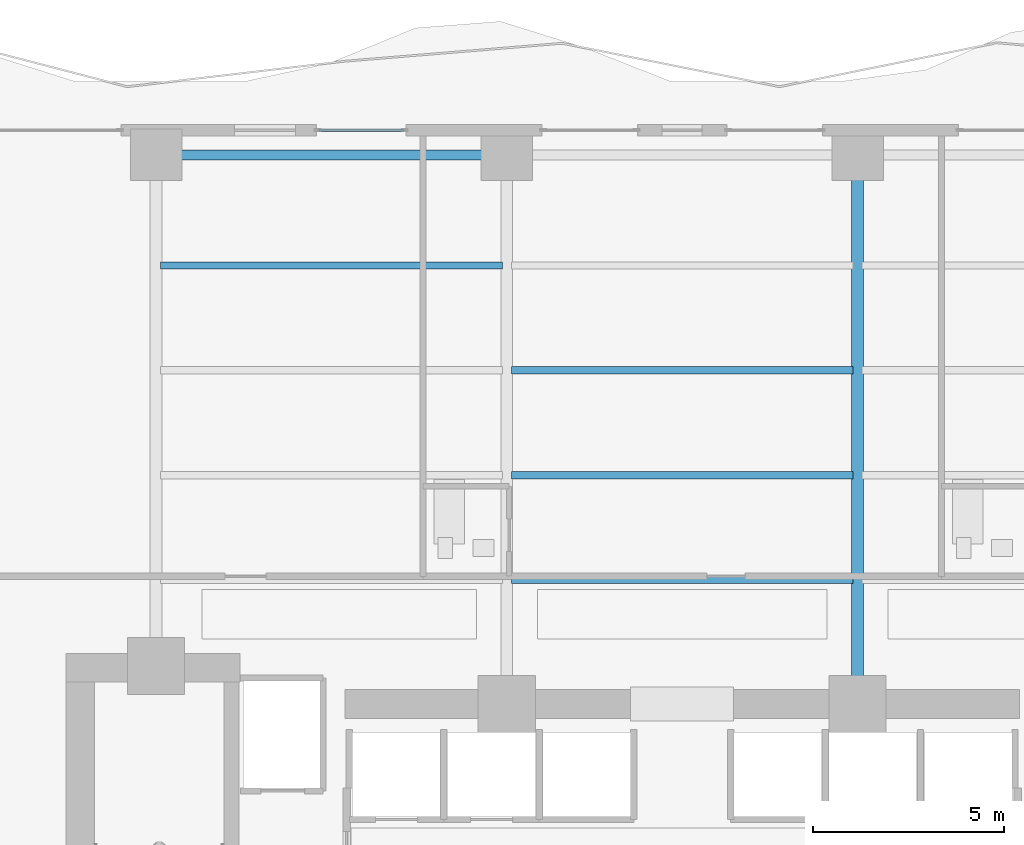
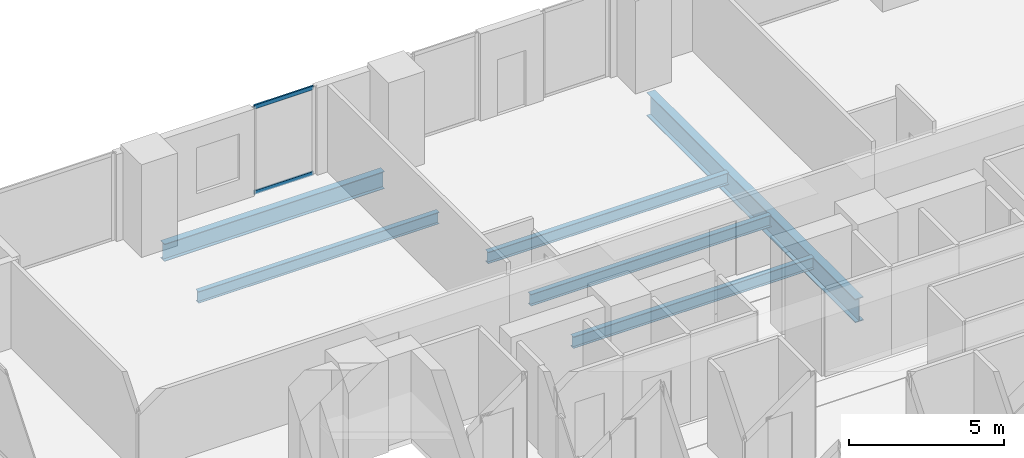
# One storey, part 16 of 28: 6 beams, 2 members, 1 element without a shape of its own.
"""IFC4 building model written with IfcOpenShell, lengths in metres."""

from ifc_helpers import new_model, si_unit, direction, frame, origin, origin_2d, place, context, subcontext, project, spatial, hollow_rectangle, i_section, extrude, material, layer, layer_set, material_profile, profile_set, type_object, element, aggregate, save


model = new_model("IFC4")

# Units and contexts
model_context = context("Model", 3, precision=1e-05, world=origin(), true_north=direction((0.0, 1.0)))
body_context = subcontext(model_context, "Body", "Model", "MODEL_VIEW")
ifc_project = project(units=[si_unit("LENGTHUNIT", "METRE"), si_unit("AREAUNIT", "SQUARE_METRE"), si_unit("VOLUMEUNIT", "CUBIC_METRE"), si_unit("PLANEANGLEUNIT", "RADIAN"), si_unit("MASSUNIT", "GRAM", prefix="KILO")], contexts=[model_context])

# Site, building, storey
site_placement = place(None, origin())
site = spatial("IfcSite", under=ifc_project, at=site_placement, CompositionType="ELEMENT")
building_placement = place(site_placement, origin())
building = spatial("IfcBuilding", under=site, at=building_placement, Name="Zuhayl Quay Hotel", CompositionType="ELEMENT")
storey_placement = place(building_placement, frame((0.0, 0.0, 146.75)))
storey = spatial("IfcBuildingStorey", under=building, at=storey_placement, Name="L37", CompositionType="ELEMENT", Elevation=146.75)

# Beams
ifc_material_1 = material(Name="Steel ASTM A992 Grade 50", Category="steel")
ifc_material_profile_1 = material_profile(ifc_material_1, i_section(OverallWidth=0.25390625, OverallDepth=0.68310546875, WebThickness=0.012451171875, FlangeThickness=0.018798828125, at=origin_2d()), Name="W27X94")
ifc_profile_set_1 = profile_set([ifc_material_profile_1], Name="Steel ASTM A992 Grade 50")
beam_type_1 = type_object("IfcBeamType", Name="BM_B2_W27X94", PredefinedType="BEAM", material=ifc_profile_set_1)
beam_1_placement = place(storey_placement, frame((-5.10009765625, 27.75, -0.5615234375), z_axis=(-1.0, 0.0, 0.0), x_axis=(0.0, -1.0, 0.0)))
element("IfcBeam", 1, at=beam_1_placement, inside=storey, type_object=beam_type_1, Name="L37 Floor Beam RG_L37_09", PredefinedType="BEAM", context=body_context, shape_type="SweptSolid", body=[
    extrude(i_section(OverallWidth=0.25390625, OverallDepth=0.68310546875, WebThickness=0.012451171875, FlangeThickness=0.018798828125, at=origin_2d()), origin(), (0.0, 0.0, 1.0), 8.199951171875),
])
ifc_material_profile_2 = material_profile(ifc_material_1, i_section(OverallWidth=0.18994140625, OverallDepth=0.45703125, WebThickness=0.009033203125, FlangeThickness=0.014404296875, at=origin_2d()), Name="W18X50")
ifc_profile_set_2 = profile_set([ifc_material_profile_2], Name="Steel ASTM A992 Grade 50")
beam_type_2 = type_object("IfcBeamType", Name="BM_J2_W18X50", PredefinedType="JOIST", material=ifc_profile_set_2)
for number, where, z_axis, x_axis, name in (
    (2, (-4.48095703125, 16.60009765625, -0.448486328125), (1.0, 0.0, 0.0), (0.0, 1.0, 0.0), "L37 Floor Beam FJ_L37_1_2"),
    (3, (-4.48095703125, 19.35009765625, -0.448486328125), (1.0, 0.0, 0.0), (0.0, 1.0, 0.0), "L37 Floor Beam FJ_L37_2_2"),
    (4, (-4.48095703125, 22.10009765625, -0.448486328125), (1.0, 0.0, 0.0), (0.0, 1.0, 0.0), "L37 Floor Beam FJ_L37_3_2"),
    (5, (-13.680908203125, 24.85009765625, -0.448486328125), (1.0, 0.0, 0.0), (0.0, 1.0, 0.0), "L37 Floor Beam FJ_L37_4_1"),
):
    element("IfcBeam", number, at=place(storey_placement, frame(where, z_axis=z_axis, x_axis=x_axis)), inside=storey, type_object=beam_type_2, Name=name, PredefinedType="JOIST", context=body_context, shape_type="SweptSolid", body=[
        extrude(i_section(OverallWidth=0.18994140625, OverallDepth=0.45703125, WebThickness=0.009033203125, FlangeThickness=0.014404296875, at=origin_2d()), origin(), (0.0, 0.0, 1.0), 8.9619140625),
    ])
ifc_material_profile_3 = material_profile(ifc_material_1, i_section(OverallWidth=0.306884765625, OverallDepth=0.927001953125, WebThickness=0.019287109375, FlangeThickness=0.031982421875, at=origin_2d()), Name="W36X194")
ifc_profile_set_3 = profile_set([ifc_material_profile_3], Name="Steel ASTM A992 Grade 50")
beam_type_3 = type_object("IfcBeamType", Name="BM_PG2_W36X194", PredefinedType="BEAM", material=ifc_profile_set_3)
beam_2_placement = place(storey_placement, frame((4.60009765625, 13.800048828125, -0.68359375), z_axis=(0.0, 1.0, 0.0), x_axis=(-1.0, 0.0, 0.0)))
element("IfcBeam", 6, at=beam_2_placement, inside=storey, type_object=beam_type_3, Name="L37 Floor Beam FG_N_L37_3", PredefinedType="BEAM", context=body_context, shape_type="SweptSolid", body=[
    extrude(i_section(OverallWidth=0.306884765625, OverallDepth=0.927001953125, WebThickness=0.019287109375, FlangeThickness=0.031982421875, at=origin_2d()), origin(), (0.0, 0.0, 1.0), 13.449951171875),
])

# Curtain wall, members
ifc_material_2 = material(Name="Anodised Aluminium 6063-T6", Category="aluminium")
ifc_layer = layer(ifc_material_2, 0.179931640625, Name="Anodised Aluminium 6063-T6", Category="aluminium")
ifc_layer_set = layer_set([ifc_layer], Name="Anodised Aluminium 6063-T6")
curtain_wall_type = type_object("IfcCurtainWallType", Name="CW_SYS_Z2", PredefinedType="USERDEFINED", material=ifc_layer_set)
curtain_wall_placement = place(storey_placement, origin())
curtain_wall = element("IfcCurtainWall", 7, at=curtain_wall_placement, inside=storey, type_object=curtain_wall_type, Name="L37 Curtain Wall ENV_L37_N_CW2", ObjectType="UNITISED CURTAIN WALL", PredefinedType="USERDEFINED")
ifc_material_3 = material(Name="Black-anodised aluminium 6063-T6", Category="aluminium")
ifc_material_profile_4 = material_profile(ifc_material_3, hollow_rectangle(XDim=0.06005859375, YDim=0.14990234375, WallThickness=0.00341796875, at=origin_2d()), Name="ALU150X60")
ifc_profile_set_4 = profile_set([ifc_material_profile_4], Name="Black-anodised aluminium 6063-T6")
member_type = type_object("IfcMemberType", Name="MB_CW_TRN_150", PredefinedType="USERDEFINED", material=ifc_profile_set_4)
member_1_placement = place(storey_placement, frame((-9.52490234375, 28.39990234375, 0.030029296875), z_axis=(1.0, 0.0, 0.0), x_axis=(0.0, 1.0, 0.0)))
member_1 = element("IfcMember", 8, at=member_1_placement, type_object=member_type, Name="CW-Z2 transom 1.1", ObjectType="TRANSOM", PredefinedType="USERDEFINED", context=body_context, shape_type="SweptSolid", body=[
    extrude(hollow_rectangle(XDim=0.06005859375, YDim=0.14990234375, WallThickness=0.00341796875, at=origin_2d()), origin(), (0.0, 0.0, 1.0), 2.2099609375),
])
member_2_placement = place(storey_placement, frame((-9.52490234375, 28.39990234375, 3.39990234375), z_axis=(1.0, 0.0, 0.0), x_axis=(0.0, 1.0, 0.0)))
member_2 = element("IfcMember", 9, at=member_2_placement, type_object=member_type, Name="CW-Z2 transom 1.2", ObjectType="TRANSOM", PredefinedType="USERDEFINED", context=body_context, shape_type="SweptSolid", body=[
    extrude(hollow_rectangle(XDim=0.06005859375, YDim=0.14990234375, WallThickness=0.00341796875, at=origin_2d()), origin(), (0.0, 0.0, 1.0), 2.2099609375),
])
aggregate(curtain_wall, [member_1, member_2])

save(model, "model.ifc")
